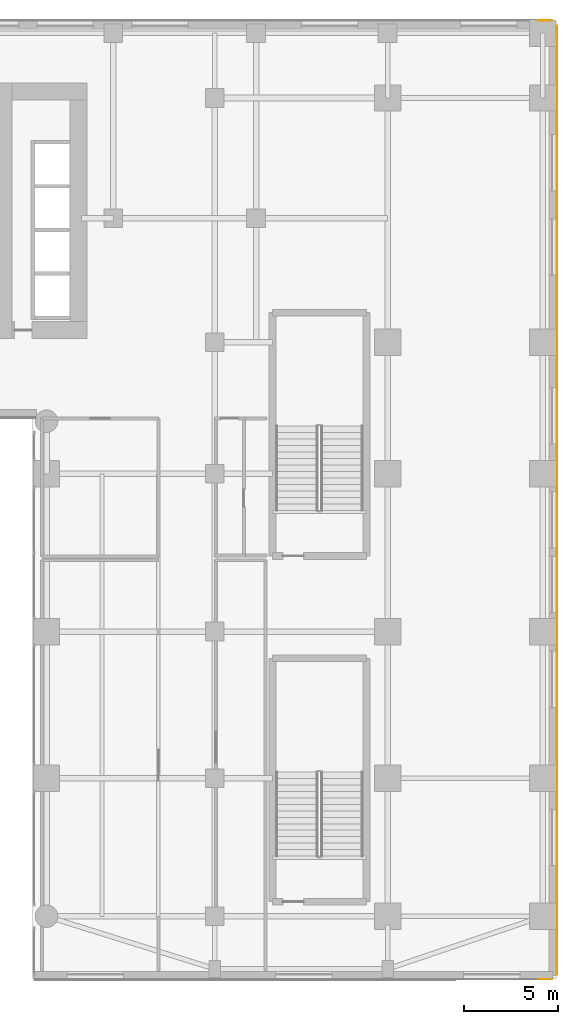
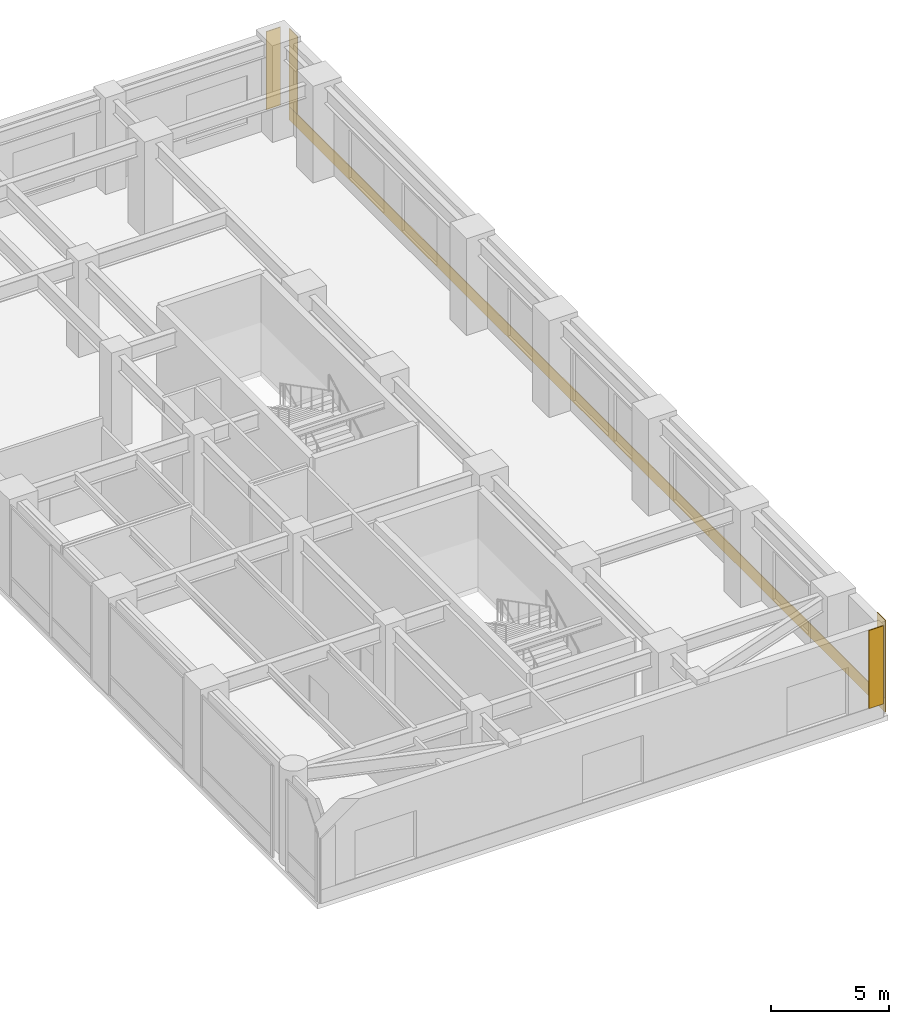
# One storey, part 24 of 24: 5 coverings.
"""IFC4 building model written with IfcOpenShell, lengths in metres."""

from ifc_helpers import new_model, si_unit, direction, frame, origin, place, context, subcontext, project, spatial, polyline, outline, extrude, material, layer, layer_set, type_object, element, save


model = new_model("IFC4")

# Units and contexts
model_context = context("Model", 3, precision=1e-05, world=origin(), true_north=direction((0.0, 1.0)))
body_context = subcontext(model_context, "Body", "Model", "MODEL_VIEW")
ifc_project = project(units=[si_unit("LENGTHUNIT", "METRE"), si_unit("AREAUNIT", "SQUARE_METRE"), si_unit("VOLUMEUNIT", "CUBIC_METRE"), si_unit("PLANEANGLEUNIT", "RADIAN"), si_unit("MASSUNIT", "GRAM", prefix="KILO")], contexts=[model_context])

# Site, building, storey
site_placement = place(None, origin())
site = spatial("IfcSite", under=ifc_project, at=site_placement, CompositionType="ELEMENT")
building_placement = place(site_placement, origin())
building = spatial("IfcBuilding", under=site, at=building_placement, Name="Tolvann Quenvar Hotel", CompositionType="ELEMENT")
storey_placement = place(building_placement, frame((0.0, 0.0, 6.0)))
storey = spatial("IfcBuildingStorey", under=building, at=storey_placement, Name="L01", CompositionType="ELEMENT", Elevation=6.0)

# Coverings
ifc_material_1 = material(Name="Kiln-fired red architectural face brick cladding", Category="masonry")
ifc_layer_1 = layer(ifc_material_1, 0.0400390625)
ifc_layer_set_1 = layer_set([ifc_layer_1], Name="Kiln-fired red architectural face brick cladding")
covering_type_1 = type_object("IfcCoveringType", Name="COV_CLAD_BRICK_40", PredefinedType="CLADDING", material=ifc_layer_set_1)
covering_1_placement = place(storey_placement, frame((0.0, 0.0, 0.699951171875)))
element("IfcCovering", 1, at=covering_1_placement, inside=storey, type_object=covering_type_1, Name="Brick Pier Cladding (L01-E04-P2)", PredefinedType="CLADDING", context=body_context, shape_type="SweptSolid", body=[
    extrude(outline(polyline([(64.43994140625, -2.5), (65.139892578125, -2.5), (65.139892578125, -2.5400390625), (64.43994140625, -2.5400390625), (64.43994140625, -2.5)])), origin(), (0.0, 0.0, 1.0), 4.0400390625),
])
covering_2_placement = place(storey_placement, frame((0.0, 0.0, 0.699951171875)))
element("IfcCovering", 2, at=covering_2_placement, inside=storey, type_object=covering_type_1, Name="Brick Pier Cladding (L01-E05-P1)", PredefinedType="CLADDING", context=body_context, shape_type="SweptSolid", body=[
    extrude(outline(polyline([(65.39990234375, -2.239990234375), (65.39990234375, -1.5400390625), (65.43994140625, -1.5400390625), (65.43994140625, -2.239990234375), (65.39990234375, -2.239990234375)])), origin(), (0.0, 0.0, 1.0), 4.0400390625),
])
covering_3_placement = place(storey_placement, frame((0.0, 0.0, 0.699951171875)))
element("IfcCovering", 3, at=covering_3_placement, inside=storey, type_object=covering_type_1, Name="Brick Pier Cladding (L01-E05-P2)", PredefinedType="CLADDING", context=body_context, shape_type="SweptSolid", body=[
    extrude(outline(polyline([(65.39990234375, 47.5400390625), (65.39990234375, 48.239990234375), (65.43994140625, 48.239990234375), (65.43994140625, 47.5400390625), (65.39990234375, 47.5400390625)])), origin(), (0.0, 0.0, 1.0), 4.0400390625),
])
covering_4_placement = place(storey_placement, frame((0.0, 0.0, 0.699951171875)))
element("IfcCovering", 4, at=covering_4_placement, inside=storey, type_object=covering_type_1, Name="Brick Pier Cladding (L01-E06-P1)", PredefinedType="CLADDING", context=body_context, shape_type="SweptSolid", body=[
    extrude(outline(polyline([(65.139892578125, 48.5), (64.43994140625, 48.5), (64.43994140625, 48.5400390625), (65.139892578125, 48.5400390625), (65.139892578125, 48.5)])), origin(), (0.0, 0.0, 1.0), 4.0400390625),
])
ifc_material_2 = material(Name="Moulded buff architectural terracotta spandrel cladding", Category="masonry")
ifc_layer_2 = layer(ifc_material_2, 0.0400390625)
ifc_layer_set_2 = layer_set([ifc_layer_2], Name="Moulded buff architectural terracotta spandrel cladding")
covering_type_2 = type_object("IfcCoveringType", Name="COV_CLAD_TERRA_40", PredefinedType="CLADDING", material=ifc_layer_set_2)
covering_5_placement = place(storey_placement, origin())
element("IfcCovering", 5, at=covering_5_placement, inside=storey, type_object=covering_type_2, Name="Terracotta Spandrel Cladding (L01-E05)", PredefinedType="CLADDING", context=body_context, shape_type="SweptSolid", body=[
    extrude(outline(polyline([(65.39990234375, -2.25), (65.39990234375, 48.25), (65.43994140625, 48.25), (65.43994140625, -2.25), (65.39990234375, -2.25)])), origin(), (0.0, 0.0, 1.0), 0.699951171875),
])

save(model, "model.ifc")
